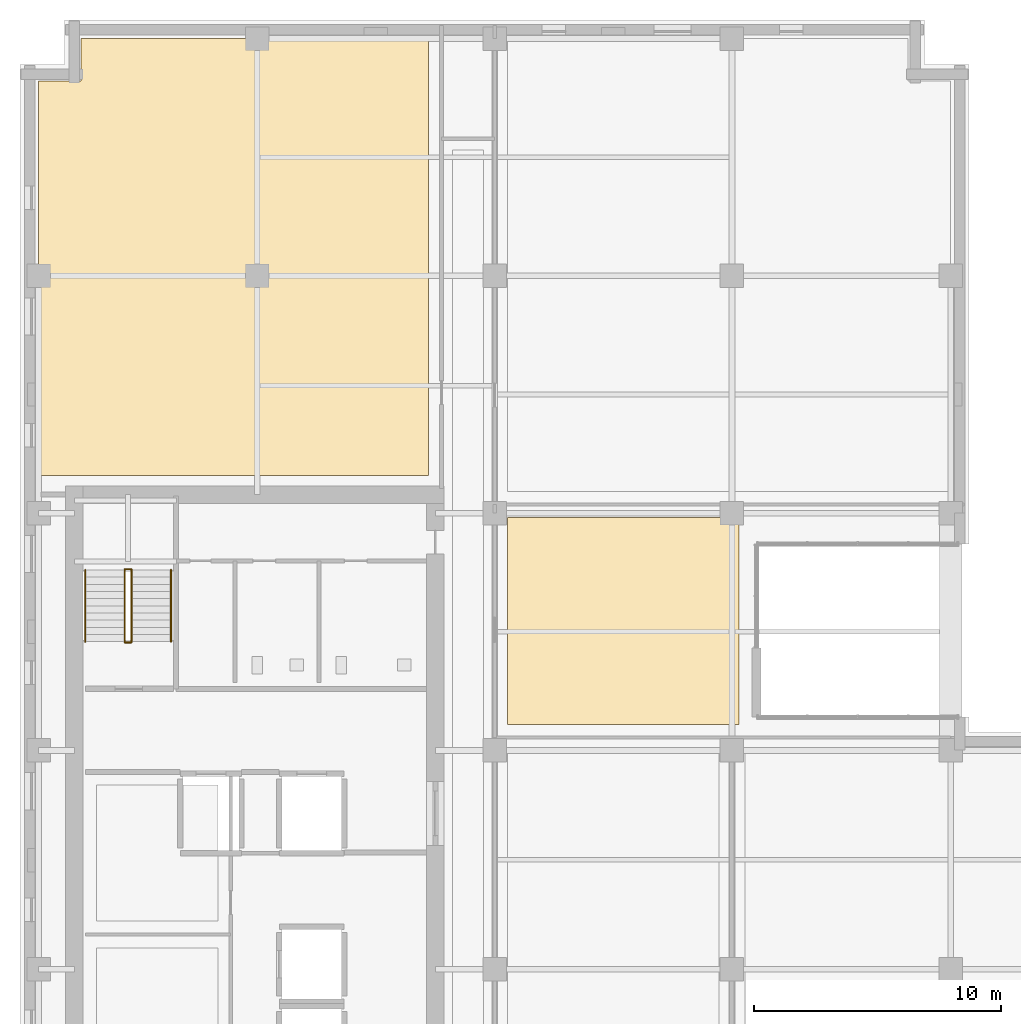
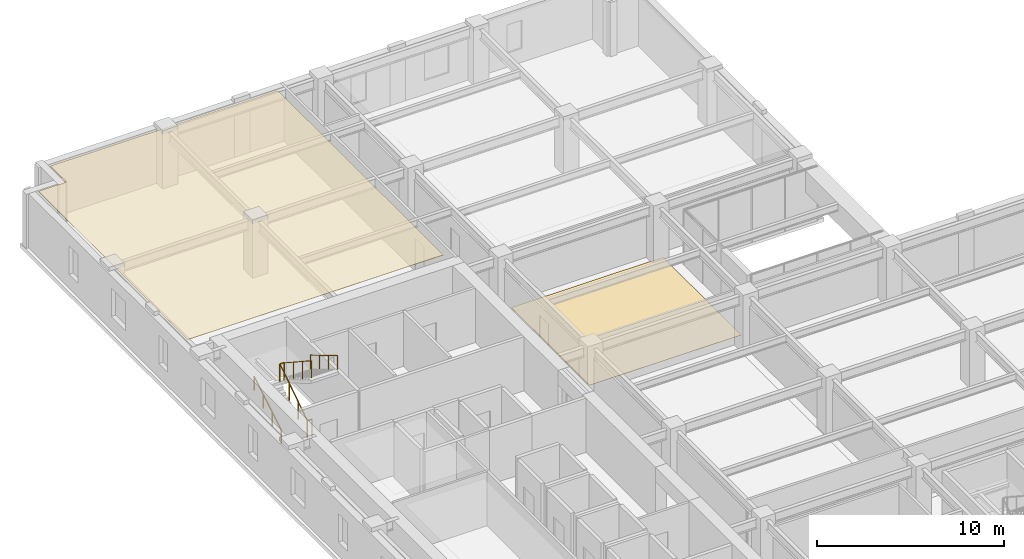
# One storey, part 11 of 13: 6 railings, 2 coverings.
"""IFC4 building model written with IfcOpenShell, lengths in metres."""

from ifc_helpers import new_model, si_unit, direction, frame, origin, origin_2d, place, context, subcontext, project, spatial, polyline, circle, outline, extrude, material, layer, layer_set, type_object, element, save


model = new_model("IFC4")

# Units and contexts
model_context = context("Model", 3, precision=1e-05, world=origin(), true_north=direction((0.0, 1.0)))
body_context = subcontext(model_context, "Body", "Model", "MODEL_VIEW")
ifc_project = project(units=[si_unit("LENGTHUNIT", "METRE"), si_unit("AREAUNIT", "SQUARE_METRE"), si_unit("VOLUMEUNIT", "CUBIC_METRE"), si_unit("PLANEANGLEUNIT", "RADIAN"), si_unit("MASSUNIT", "GRAM", prefix="KILO")], contexts=[model_context])

# Site, building, storey
site_placement = place(None, origin())
site = spatial("IfcSite", under=ifc_project, at=site_placement, CompositionType="ELEMENT")
building_placement = place(site_placement, origin())
building = spatial("IfcBuilding", under=site, at=building_placement, Name="Norrvale University Quadrangle", CompositionType="ELEMENT")
storey_placement = place(building_placement, frame((0.0, 0.0, 171.199951171875)))
storey = spatial("IfcBuildingStorey", under=building, at=storey_placement, Name="L43", CompositionType="ELEMENT", Elevation=171.199951171875)

# Coverings
ifc_material_1 = material(Name="Perforated Acoustic Mineral Ceiling")
ifc_layer_1 = layer(ifc_material_1, 0.02490234375, Name="Perforated Acoustic Mineral Ceiling")
ifc_layer_set_1 = layer_set([ifc_layer_1], Name="Perforated Acoustic Mineral Ceiling")
covering_type_1 = type_object("IfcCoveringType", Name="Covering Acoustic Ceiling 25", PredefinedType="CEILING", material=ifc_layer_set_1)
covering_1_placement = place(storey_placement, frame((0.0, 0.0, 3.51513671875)))
element("IfcCovering", 1, at=covering_1_placement, inside=storey, type_object=covering_type_1, Name="Acoustic Ceiling RM-L43-NW01", PredefinedType="CEILING", context=body_context, shape_type="SweptSolid", body=[
    extrude(outline(polyline([(16.52001953125, 66.449951171875), (16.52001953125, 48.780029296875), (0.75, 48.780029296875), (0.75, 64.72998046875), (2.469970703125, 64.72998046875), (2.469970703125, 66.449951171875), (16.52001953125, 66.449951171875)])), origin(), (0.0, 0.0, 1.0), 0.02490234375),
])
ifc_material_2 = material(Name="Polished Terrazzo Flooring")
ifc_layer_2 = layer(ifc_material_2, 0.02490234375, Name="Polished Terrazzo Flooring")
ifc_layer_set_2 = layer_set([ifc_layer_2], Name="Polished Terrazzo Flooring")
covering_type_2 = type_object("IfcCoveringType", Name="Covering Terrazzo Floor 30", PredefinedType="FLOORING", material=ifc_layer_set_2)
covering_2_placement = place(storey_placement, origin())
element("IfcCovering", 2, at=covering_2_placement, inside=storey, type_object=covering_type_2, Name="Terrazzo Flooring RM-L43-MNE01", PredefinedType="FLOORING", context=body_context, shape_type="SweptSolid", body=[
    extrude(outline(polyline([(19.72998046875, 47.070068359375), (29.090087890625, 47.070068359375), (29.090087890625, 38.7099609375), (19.72998046875, 38.7099609375), (19.72998046875, 47.070068359375)])), origin(), (0.0, 0.0, 1.0), 0.025146484375),
])

# Railings
ifc_material_3 = material(Name="Steel 350W Painted Balustrade", Category="steel")
railing_type_1 = type_object("IfcRailingType", Name="Railing Stair Guard 1100", PredefinedType="GUARDRAIL", material=ifc_material_3)
for number, where, name in (
    (3, (4.239990234375, 42.02001953125, 0.0), "Stair Floor Well Guard ST-02 L43"),
    (4, (4.239990234375, 44.97998046875, 1.900146484375), "Stair Mid-Landing Slot Guard ST-02 L43"),
):
    element("IfcRailing", number, at=place(storey_placement, frame(where)), inside=storey, type_object=railing_type_1, Name=name, PredefinedType="GUARDRAIL", context=body_context, shape_type="SweptSolid", body=[
        extrude(circle(Radius=0.02392578125, at=origin_2d()), frame((0.0, 0.0, 1.1259765625), z_axis=(1.0, 0.0, 0.0), x_axis=(0.0, 1.0, 0.0)), (0.0, 0.0, 1.0), 0.27001953125),
        extrude(circle(Radius=0.02099609375, at=origin_2d()), origin(), (0.0, 0.0, 1.0), 1.101806640625),
        extrude(circle(Radius=0.02099609375, at=origin_2d()), frame((0.27001953125, 0.0, 0.0)), (0.0, 0.0, 1.0), 1.101806640625),
    ])
railing_1_placement = place(storey_placement, frame((4.239990234375, 42.050048828125, 0.0)))
element("IfcRailing", 5, at=railing_1_placement, inside=storey, type_object=railing_type_1, Name="Stair Lower Flight Inner Guard ST-02 L43", PredefinedType="GUARDRAIL", context=body_context, shape_type="SweptSolid", body=[
    extrude(circle(Radius=0.02392578125, at=origin_2d()), frame((0.0, 0.0, 1.1259765625), z_axis=(0.0, 0.836433300813, 0.548068730445), x_axis=(-1.0, 0.0, 0.0)), (0.0, 0.0, 1.0), 3.467041015625),
    extrude(circle(Radius=0.02099609375, at=origin_2d()), origin(), (0.0, 0.0, 1.0), 1.101806640625),
    extrude(circle(Radius=0.02099609375, at=origin_2d()), frame((0.0, 0.966552734375, 0.63330078125)), (0.0, 0.0, 1.0), 1.101806640625),
    extrude(circle(Radius=0.02099609375, at=origin_2d()), frame((0.0, 1.933349609375, 1.266845703125)), (0.0, 0.0, 1.0), 1.101806640625),
    extrude(circle(Radius=0.02099609375, at=origin_2d()), frame((0.0, 2.89990234375, 1.900146484375)), (0.0, 0.0, 1.0), 1.101806640625),
])
railing_2_placement = place(storey_placement, frame((4.510009765625, 44.949951171875, 1.900146484375)))
element("IfcRailing", 6, at=railing_2_placement, inside=storey, type_object=railing_type_1, Name="Stair Upper Flight Inner Guard ST-02 L43", PredefinedType="GUARDRAIL", context=body_context, shape_type="SweptSolid", body=[
    extrude(circle(Radius=0.02392578125, at=origin_2d()), frame((0.0, 0.0, 1.1259765625), z_axis=(0.0, -0.836465582154, 0.548019461216), x_axis=(1.0, 0.0, 0.0)), (0.0, 0.0, 1.0), 3.466796875),
    extrude(circle(Radius=0.02099609375, at=origin_2d()), origin(), (0.0, 0.0, 1.0), 1.101806640625),
    extrude(circle(Radius=0.02099609375, at=origin_2d()), frame((0.0, -0.966552734375, 0.63330078125)), (0.0, 0.0, 1.0), 1.101806640625),
    extrude(circle(Radius=0.02099609375, at=origin_2d()), frame((0.0, -1.933349609375, 1.2666015625)), (0.0, 0.0, 1.0), 1.101806640625),
    extrude(circle(Radius=0.02099609375, at=origin_2d()), frame((0.0, -2.89990234375, 1.89990234375)), (0.0, 0.0, 1.0), 1.101806640625),
])
ifc_material_4 = material(Name="Stainless Steel 316L Handrail", Category="steel")
railing_type_2 = type_object("IfcRailingType", Name="Railing Stair Handrail 920", PredefinedType="HANDRAIL", material=ifc_material_4)
railing_3_placement = place(storey_placement, frame((2.639892578125, 42.050048828125, 0.1728515625)))
element("IfcRailing", 7, at=railing_3_placement, inside=storey, type_object=railing_type_2, Name="Stair Lower Flight Handrail ST-02 L43", PredefinedType="HANDRAIL", context=body_context, shape_type="SweptSolid", body=[
    extrude(circle(Radius=0.02392578125, at=origin_2d()), frame((0.0, 0.0, 0.89599609375), z_axis=(0.0, 0.859141464434, 0.511738159696), x_axis=(-1.0, 0.0, 0.0)), (0.0, 0.0, 1.0), 3.375244140625),
    extrude(circle(Radius=0.02099609375, at=origin_2d()), origin(), (0.0, 0.0, 1.0), 0.871826171875),
    extrude(circle(Radius=0.02099609375, at=origin_2d()), frame((0.0, 0.966552734375, 0.57568359375)), (0.0, 0.0, 1.0), 0.871826171875),
    extrude(circle(Radius=0.02099609375, at=origin_2d()), frame((0.0, 1.933349609375, 1.151611328125)), (0.0, 0.0, 1.0), 0.871826171875),
    extrude(circle(Radius=0.02099609375, at=origin_2d()), frame((0.0, 2.89990234375, 1.727294921875)), (0.0, 0.0, 1.0), 0.871826171875),
])
railing_4_placement = place(storey_placement, frame((6.110107421875, 44.949951171875, 2.07275390625)))
element("IfcRailing", 8, at=railing_4_placement, inside=storey, type_object=railing_type_2, Name="Stair Upper Flight Handrail ST-02 L43", PredefinedType="HANDRAIL", context=body_context, shape_type="SweptSolid", body=[
    extrude(circle(Radius=0.02392578125, at=origin_2d()), frame((0.0, 0.0, 0.89599609375), z_axis=(0.0, -0.859141464434, 0.511738159696), x_axis=(1.0, 0.0, 0.0)), (0.0, 0.0, 1.0), 3.375244140625),
    extrude(circle(Radius=0.02099609375, at=origin_2d()), origin(), (0.0, 0.0, 1.0), 0.871826171875),
    extrude(circle(Radius=0.02099609375, at=origin_2d()), frame((0.0, -0.966552734375, 0.57568359375)), (0.0, 0.0, 1.0), 0.871826171875),
    extrude(circle(Radius=0.02099609375, at=origin_2d()), frame((0.0, -1.933349609375, 1.151611328125)), (0.0, 0.0, 1.0), 0.871826171875),
    extrude(circle(Radius=0.02099609375, at=origin_2d()), frame((0.0, -2.89990234375, 1.727294921875)), (0.0, 0.0, 1.0), 0.871826171875),
])

save(model, "model.ifc")
